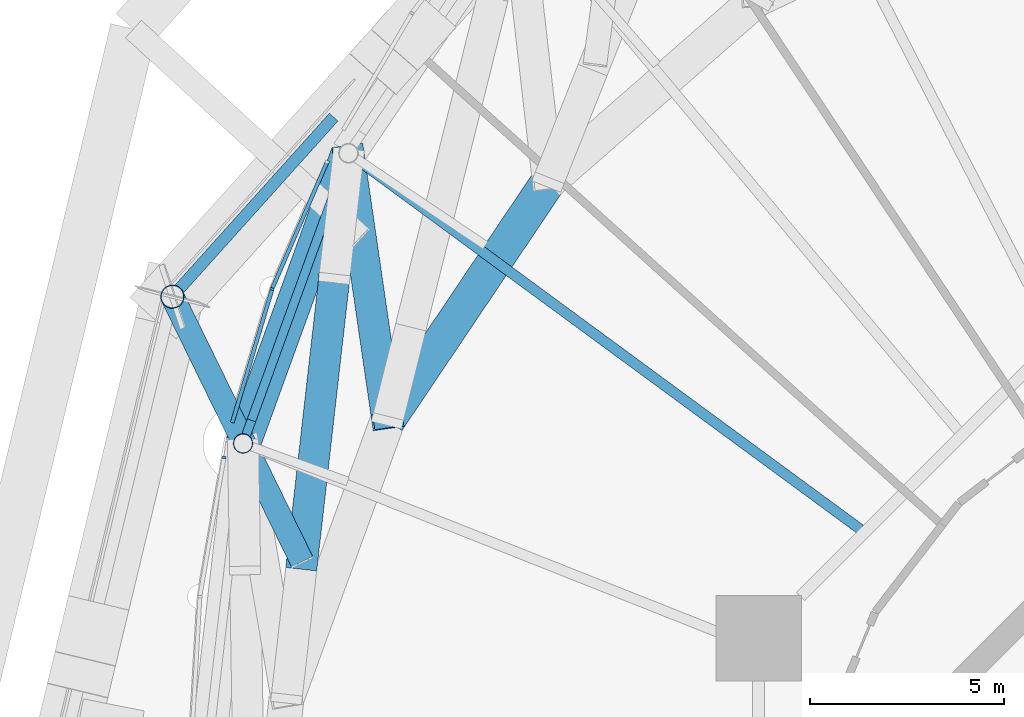
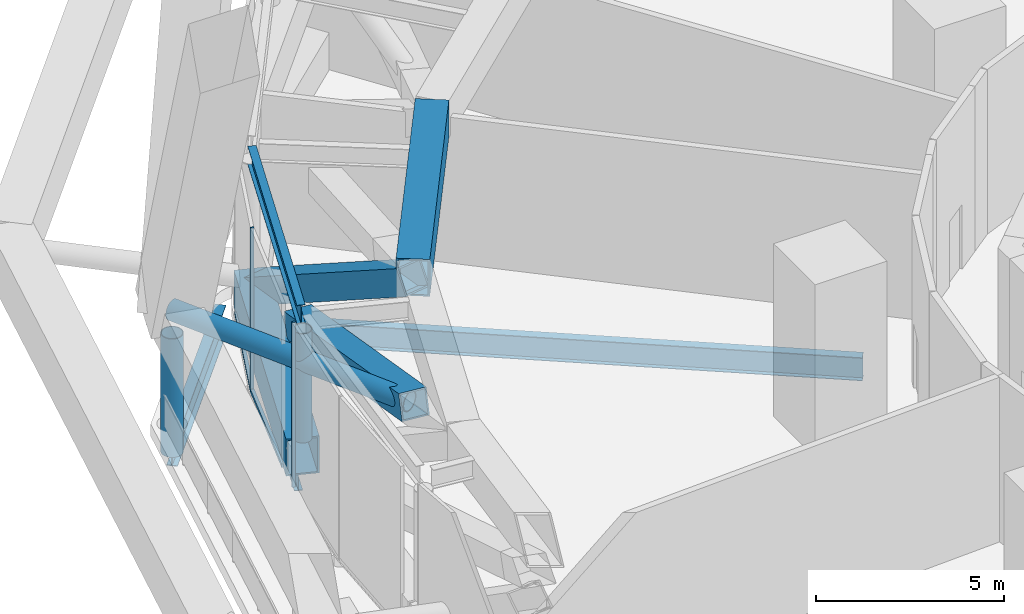
# One storey, part 22 of 65: 8 beams, 7 members, 3 elements without a shape of their own.
"""IFC4 building model written with IfcOpenShell, lengths in metres."""

from ifc_helpers import new_model, si_unit, direction, frame, origin, origin_2d, place, context, subcontext, project, spatial, rectangle, hollow_rectangle, hollow_circle, i_section, extrude, material, layer, layer_set, material_profile, profile_set, type_object, element, aggregate, save


model = new_model("IFC4")

# Units and contexts
model_context = context("Model", 3, precision=1e-05, world=origin(), true_north=direction((0.0, 1.0)))
body_context = subcontext(model_context, "Body", "Model", "MODEL_VIEW")
ifc_project = project(units=[si_unit("LENGTHUNIT", "METRE"), si_unit("AREAUNIT", "SQUARE_METRE"), si_unit("VOLUMEUNIT", "CUBIC_METRE"), si_unit("PLANEANGLEUNIT", "RADIAN"), si_unit("MASSUNIT", "GRAM", prefix="KILO")], contexts=[model_context])

# Site, building, storey
site_placement = place(None, origin())
site = spatial("IfcSite", under=ifc_project, at=site_placement, CompositionType="ELEMENT")
building_placement = place(site_placement, origin())
building = spatial("IfcBuilding", under=site, at=building_placement, Name="Nagisa Residences", CompositionType="ELEMENT")
storey_placement = place(building_placement, frame((0.0, 0.0, 114.0)))
storey = spatial("IfcBuildingStorey", under=building, at=storey_placement, Name="L28", CompositionType="ELEMENT", Elevation=114.0)

# Beams
ifc_material_1 = material(Name="Steel ASTM A572 Gr 50", Category="steel")
ifc_material_profile_1 = material_profile(ifc_material_1, hollow_rectangle(XDim=0.89990234375, YDim=1.199951171875, WallThickness=0.050048828125, at=origin_2d()), Name="BX 900x1200x50")
ifc_profile_set_1 = profile_set([ifc_material_profile_1], Name="Steel ASTM A572 Gr 50")
beam_type_1 = type_object("IfcBeamType", Name="Belt chord 2 BX 900x1200x50", PredefinedType="BEAM", material=ifc_profile_set_1)
beam_1_placement = place(storey_placement, frame((-20.20947265625, 17.8798828125, 4.739990234375), z_axis=(-0.558184113249, -0.829717117888, 0.0), x_axis=(0.829717117888, -0.558184113249, 0.0)))
element("IfcBeam", 1, at=beam_1_placement, inside=storey, type_object=beam_type_1, Name="beam:L28:bt2t10", PredefinedType="BEAM", context=body_context, shape_type="SweptSolid", body=[
    extrude(hollow_rectangle(XDim=0.89990234375, YDim=1.199951171875, WallThickness=0.050048828125, at=origin_2d()), origin(), (0.0, 0.0, 1.0), 7.412353515625),
])
beam_2_placement = place(storey_placement, frame((-25.3515625, 18.625244140625, 0.60009765625), z_axis=(-0.341378490928, -0.939925915129, 0.0), x_axis=(0.939925915129, -0.341378490928, 0.0)))
element("IfcBeam", 2, at=beam_2_placement, inside=storey, type_object=beam_type_1, Name="beam:L28:bt2b11", PredefinedType="BEAM", context=body_context, shape_type="SweptSolid", body=[
    extrude(hollow_rectangle(XDim=0.89990234375, YDim=1.199951171875, WallThickness=0.050048828125, at=origin_2d()), origin(), (0.0, 0.0, 1.0), 7.958251953125),
])
ifc_material_2 = material(Name="Steel ASTM A572 Gr 50", Category="steel")
ifc_material_profile_2 = material_profile(ifc_material_2, hollow_rectangle(XDim=0.800048828125, YDim=0.800048828125, WallThickness=0.044921875, at=origin_2d()), Name="BX 800x800x45")
ifc_profile_set_2 = profile_set([ifc_material_profile_2], Name="Steel ASTM A572 Gr 50")
beam_type_2 = type_object("IfcBeamType", Name="Belt diagonal 2 BX 800x800x45", PredefinedType="BEAM", material=ifc_profile_set_2)
beam_3_placement = place(storey_placement, frame((-25.3515625, 18.625244140625, 0.60009765625), z_axis=(0.123948222786, -0.850739636538, 0.510763065316), x_axis=(0.989552567002, 0.144172525606, 0.0)))
element("IfcBeam", 3, at=beam_3_placement, inside=storey, type_object=beam_type_2, Name="beam:L28:bt2da11", PredefinedType="BEAM", context=body_context, shape_type="SweptSolid", body=[
    extrude(hollow_rectangle(XDim=0.800048828125, YDim=0.800048828125, WallThickness=0.044921875, at=origin_2d()), origin(), (0.0, 0.0, 1.0), 8.105224609375),
])
beam_4_placement = place(storey_placement, frame((-25.7177734375, 15.3994140625, 1.550048828125), z_axis=(-0.108301232416, -0.953620207307, 0.280854665748), x_axis=(0.993612815536, -0.11284313361, 0.0)))
element("IfcBeam", 4, at=beam_4_placement, inside=storey, type_object=beam_type_2, Name="beam:L28:bt2db11", PredefinedType="BEAM", context=body_context, shape_type="SweptSolid", body=[
    extrude(hollow_rectangle(XDim=0.800048828125, YDim=0.800048828125, WallThickness=0.044921875, at=origin_2d()), origin(), (0.0, 0.0, 1.0), 7.9755859375),
])

# Curtain wall, member
ifc_material_3 = material(Name="Aluminium curtain wall system", Category="aluminium")
ifc_layer = layer(ifc_material_3, 0.159912109375)
ifc_layer_set = layer_set([ifc_layer], Name="CW5 CURTAIN WALL")
curtain_wall_type = type_object("IfcCurtainWallType", Name="CW5 CURTAIN WALL", PredefinedType="NOTDEFINED", material=ifc_layer_set)
curtain_wall_1_placement = place(storey_placement, origin())
curtain_wall_1 = element("IfcCurtainWall", 5, at=curtain_wall_1_placement, inside=storey, type_object=curtain_wall_type, Name="cw:CW5:L28:21", PredefinedType="NOTDEFINED")
ifc_material_4 = material(Name="Aluminium", Category="aluminium")
ifc_material_profile_3 = material_profile(ifc_material_4, rectangle(XDim=0.10009765625, YDim=0.06005859375, at=origin_2d()), Name="CW5 MULLION 100x60")
ifc_profile_set_3 = profile_set([ifc_material_profile_3], Name="Aluminium")
member_type_1 = type_object("IfcMemberType", Name="CW5 MULLION 100x60", PredefinedType="MULLION", material=ifc_profile_set_3)
member_1_placement = place(storey_placement, frame((-27.31884765625, 15.12646484375, 0.0), z_axis=(0.0, 0.0, 1.0), x_axis=(0.958271310082, -0.285860274038, 0.0)))
member_1 = element("IfcMember", 6, at=member_1_placement, type_object=member_type_1, Name="CW5 mullion", PredefinedType="MULLION", context=body_context, shape_type="SweptSolid", body=[
    extrude(rectangle(XDim=0.10009765625, YDim=0.06005859375, at=origin_2d()), origin(), (0.0, 0.0, 1.0), 5.340087890625),
])

curtain_wall_2_placement = place(storey_placement, origin())
curtain_wall_2 = element("IfcCurtainWall", 7, at=curtain_wall_2_placement, inside=storey, type_object=curtain_wall_type, Name="cw:CW5:L28:22", PredefinedType="NOTDEFINED")
member_2_placement = place(storey_placement, frame((-28.55517578125, 10.787841796875, 0.0), z_axis=(0.0, 0.0, 1.0), x_axis=(0.985063604377, -0.172190868898, 0.0)))
member_2 = element("IfcMember", 8, at=member_2_placement, type_object=member_type_1, Name="CW5 mullion", PredefinedType="MULLION", context=body_context, shape_type="SweptSolid", body=[
    extrude(rectangle(XDim=0.10009765625, YDim=0.06005859375, at=origin_2d()), origin(), (0.0, 0.0, 1.0), 5.340087890625),
])
aggregate(curtain_wall_2, [member_2])

curtain_wall_3_placement = place(storey_placement, origin())
curtain_wall_3 = element("IfcCurtainWall", 9, at=curtain_wall_3_placement, inside=storey, type_object=curtain_wall_type, Name="cw:CW5:L28:20", PredefinedType="NOTDEFINED")
ifc_material_5 = material(Name="Aluminium", Category="aluminium")
ifc_material_profile_4 = material_profile(ifc_material_5, rectangle(XDim=0.10009765625, YDim=0.1201171875, at=origin_2d()), Name="CW5 TRANSOM 100x120")
ifc_profile_set_4 = profile_set([ifc_material_profile_4], Name="Aluminium")
member_type_2 = type_object("IfcMemberType", Name="CW5 TRANSOM 100x120", PredefinedType="USERDEFINED", material=ifc_profile_set_4)
member_3_placement = place(storey_placement, frame((-25.89013671875, 18.430419921875, 0.06005859375), z_axis=(-0.397653377128, -0.91753571683, 0.0), x_axis=(0.91753571683, -0.397653377128, 0.0)))
member_3 = element("IfcMember", 10, at=member_3_placement, type_object=member_type_2, Name="CW5 transom", ObjectType="TRANSOM", PredefinedType="USERDEFINED", context=body_context, shape_type="SweptSolid", body=[
    extrude(rectangle(XDim=0.10009765625, YDim=0.1201171875, at=origin_2d()), origin(), (0.0, 0.0, 1.0), 3.579345703125),
])
aggregate(curtain_wall_3, [member_3])

# Member
member_4_placement = place(storey_placement, frame((-27.310302734375, 15.155029296875, 0.06005859375), z_axis=(-0.285808378069, -0.95828678955, 0.0), x_axis=(0.95828678955, -0.285808378069, 0.0)))
member_4 = element("IfcMember", 11, at=member_4_placement, type_object=member_type_2, Name="CW5 transom", ObjectType="TRANSOM", PredefinedType="USERDEFINED", context=body_context, shape_type="SweptSolid", body=[
    extrude(rectangle(XDim=0.10009765625, YDim=0.1201171875, at=origin_2d()), origin(), (0.0, 0.0, 1.0), 3.62353515625),
])

aggregate(curtain_wall_1, [member_1, member_4])

ifc_material_6 = material(Name="Steel ASTM A572 Gr 65", Category="steel")
ifc_material_profile_5 = material_profile(ifc_material_6, hollow_circle(Radius=0.304931640625, WallThickness=0.02490234375, at=origin_2d()), Name="CHS 610x25")
ifc_profile_set_5 = profile_set([ifc_material_profile_5], Name="Steel ASTM A572 Gr 65")
member_type_3 = type_object("IfcMemberType", Name="Cage strut CHS 610x25", PredefinedType="STRUT", material=ifc_profile_set_5)
member_5_placement = place(storey_placement, frame((-29.8896484375, 14.9296875, 3.699951171875), z_axis=(0.439569396699, -0.89820863138, 0.0), x_axis=(0.89820863138, 0.439569396699, 0.0)))
element("IfcMember", 12, at=member_5_placement, inside=storey, type_object=member_type_3, Name="mem:L28:bt2st3b06", PredefinedType="STRUT", context=body_context, shape_type="SweptSolid", body=[
    extrude(hollow_circle(Radius=0.304931640625, WallThickness=0.02490234375, at=origin_2d()), origin(), (0.0, 0.0, 1.0), 7.604736328125),
])

# Beam
ifc_material_7 = material(Name="Steel ASTM A572 Gr 50", Category="steel")
ifc_material_profile_6 = material_profile(ifc_material_7, i_section(OverallWidth=0.300048828125, OverallDepth=0.97998046875, WebThickness=0.0166015625, FlangeThickness=0.02587890625, at=origin_2d()), Name="W1000x249")
ifc_profile_set_6 = profile_set([ifc_material_profile_6], Name="Steel ASTM A572 Gr 50")
beam_type_3 = type_object("IfcBeamType", Name="Deck edge beam W1000x249", PredefinedType="BEAM", material=ifc_profile_set_6)
beam_5_placement = place(storey_placement, frame((-25.733154296875, 19.55517578125, -0.889892578125), z_axis=(-0.668391909281, -0.743809287121, 0.0), x_axis=(0.743809287121, -0.668391909281, 0.0)))
element("IfcBeam", 13, at=beam_5_placement, inside=storey, type_object=beam_type_3, Name="beam:L28:deckedge03", PredefinedType="BEAM", context=body_context, shape_type="SweptSolid", body=[
    extrude(i_section(OverallWidth=0.300048828125, OverallDepth=0.97998046875, WebThickness=0.0166015625, FlangeThickness=0.02587890625, at=origin_2d()), origin(), (0.0, 0.0, 1.0), 6.21875),
])

# Member
ifc_material_8 = material(Name="Steel ASTM A572 Gr 65", Category="steel")
ifc_material_profile_7 = material_profile(ifc_material_8, hollow_circle(Radius=0.304931640625, WallThickness=0.02490234375, at=origin_2d()), Name="CHS 610x25")
ifc_profile_set_7 = profile_set([ifc_material_profile_7], Name="Steel ASTM A572 Gr 65")
member_type_4 = type_object("IfcMemberType", Name="Deck hanger CHS 610x25", PredefinedType="POST", material=ifc_profile_set_7)
member_6_placement = place(storey_placement, frame((-29.8896484375, 14.9296875, 2.949951171875), z_axis=(0.0, 0.0, -1.0), x_axis=(1.0, 0.0, 0.0)))
element("IfcMember", 14, at=member_6_placement, inside=storey, type_object=member_type_4, Name="mem:L28:deckhanger03", PredefinedType="POST", context=body_context, shape_type="SweptSolid", body=[
    extrude(hollow_circle(Radius=0.304931640625, WallThickness=0.02490234375, at=origin_2d()), origin(), (0.0, 0.0, 1.0), 3.83984375),
])

# Beam
ifc_material_9 = material(Name="Steel ASTM A572 Gr 50", Category="steel")
ifc_material_profile_8 = material_profile(ifc_material_9, i_section(OverallWidth=0.22802734375, OverallDepth=0.60302734375, WebThickness=0.010498046875, FlangeThickness=0.014892578125, at=origin_2d()), Name="W610x101")
ifc_profile_set_8 = profile_set([ifc_material_profile_8], Name="Steel ASTM A572 Gr 50")
beam_type_4 = type_object("IfcBeamType", Name="Garden edge beam W610x101", PredefinedType="BEAM", material=ifc_profile_set_8)
beam_6_placement = place(storey_placement, frame((-25.431396484375, 18.4052734375, 5.03857421875), z_axis=(-0.34139235353, -0.939920880155, 0.0), x_axis=(0.939920880155, -0.34139235353, 0.0)))
element("IfcBeam", 15, at=beam_6_placement, inside=storey, type_object=beam_type_4, Name="beam:L28:bt2ge11", PredefinedType="BEAM", context=body_context, shape_type="SweptSolid", body=[
    extrude(i_section(OverallWidth=0.22802734375, OverallDepth=0.60302734375, WebThickness=0.010498046875, FlangeThickness=0.014892578125, at=origin_2d()), origin(), (0.0, 0.0, 1.0), 7.490234375),
])

# Member
ifc_material_10 = material(Name="Steel ASTM A572 Gr 65", Category="steel")
ifc_material_profile_9 = material_profile(ifc_material_10, hollow_circle(Radius=0.25390625, WallThickness=0.02001953125, at=origin_2d()), Name="CHS 508x20")
ifc_profile_set_9 = profile_set([ifc_material_profile_9], Name="Steel ASTM A572 Gr 65")
member_type_5 = type_object("IfcMemberType", Name="Garden edge post CHS 508x20", PredefinedType="POST", material=ifc_profile_set_9)
member_7_placement = place(storey_placement, frame((-28.068359375, 11.14501953125, 1.199951171875), z_axis=(0.0, 0.0, 1.0), x_axis=(1.0, 0.0, 0.0)))
element("IfcMember", 16, at=member_7_placement, inside=storey, type_object=member_type_5, Name="mem:L28:gp212", PredefinedType="POST", context=body_context, shape_type="SweptSolid", body=[
    extrude(hollow_circle(Radius=0.25390625, WallThickness=0.02001953125, at=origin_2d()), origin(), (0.0, 0.0, 1.0), 3.537109375),
])

# Beams
ifc_material_11 = material(Name="Steel ASTM A572 Gr 50", Category="steel")
ifc_material_profile_10 = material_profile(ifc_material_11, i_section(OverallWidth=0.22900390625, OverallDepth=0.612060546875, WebThickness=0.011962890625, FlangeThickness=0.01953125, at=origin_2d()), Name="W610x125")
ifc_profile_set_10 = profile_set([ifc_material_profile_10], Name="Steel ASTM A572 Gr 50")
beam_type_5 = type_object("IfcBeamType", Name="Perimeter ring beam W610x125", PredefinedType="BEAM", material=ifc_profile_set_10)
beam_7_placement = place(storey_placement, frame((-25.568359375, 18.028564453125, -0.656005859375), z_axis=(-0.341365002286, -0.939930814057, 0.0), x_axis=(0.939930814057, -0.341365002286, 0.0)))
element("IfcBeam", 17, at=beam_7_placement, inside=storey, type_object=beam_type_5, Name="beam:L28:pb11", PredefinedType="BEAM", context=body_context, shape_type="SweptSolid", body=[
    extrude(i_section(OverallWidth=0.22900390625, OverallDepth=0.612060546875, WebThickness=0.011962890625, FlangeThickness=0.01953125, at=origin_2d()), origin(), (0.0, 0.0, 1.0), 6.689208984375),
])
ifc_material_12 = material(Name="Steel ASTM A572 Gr 50", Category="steel")
ifc_material_profile_11 = material_profile(ifc_material_12, i_section(OverallWidth=0.264892578125, OverallDepth=0.7529296875, WebThickness=0.01318359375, FlangeThickness=0.01708984375, at=origin_2d()), Name="W760x147")
ifc_profile_set_11 = profile_set([ifc_material_profile_11], Name="Steel ASTM A572 Gr 50")
beam_type_6 = type_object("IfcBeamType", Name="Radial beam W760x147", PredefinedType="BEAM", material=ifc_profile_set_11)
beam_8_placement = place(storey_placement, frame((-25.0, 18.366943359375, -0.7265625), z_axis=(0.80588688563, -0.592069529337, 0.0), x_axis=(0.592069529337, 0.80588688563, 0.0)))
element("IfcBeam", 18, at=beam_8_placement, inside=storey, type_object=beam_type_6, Name="beam:L28:rb11", PredefinedType="BEAM", context=body_context, shape_type="SweptSolid", body=[
    extrude(i_section(OverallWidth=0.264892578125, OverallDepth=0.7529296875, WebThickness=0.01318359375, FlangeThickness=0.01708984375, at=origin_2d()), origin(), (0.0, 0.0, 1.0), 15.93408203125),
])

save(model, "model.ifc")
